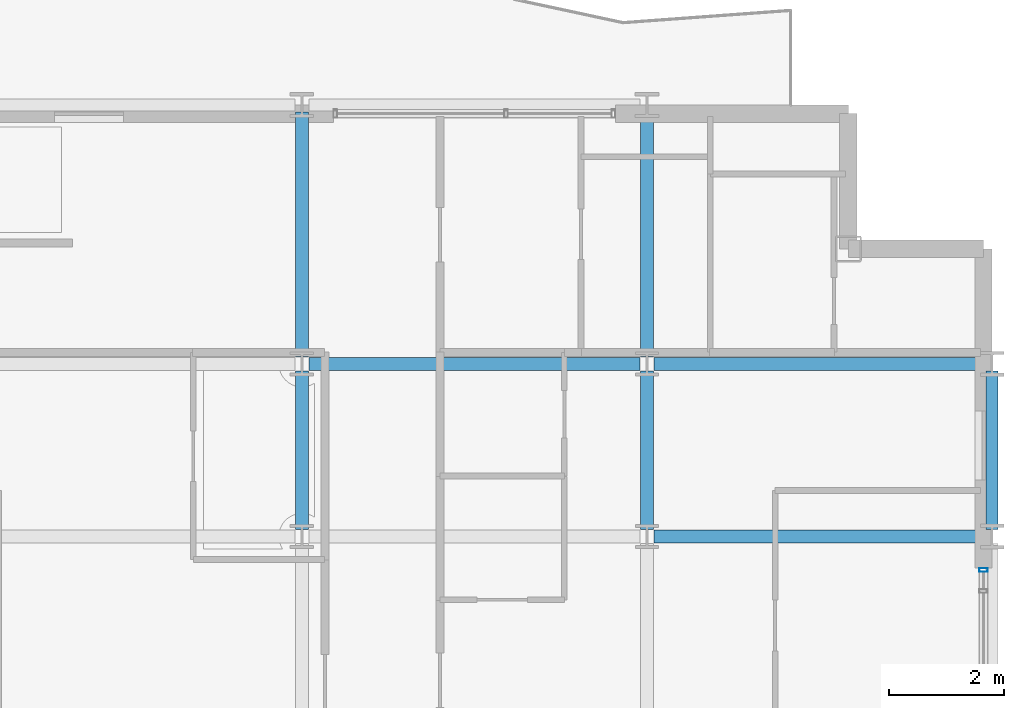
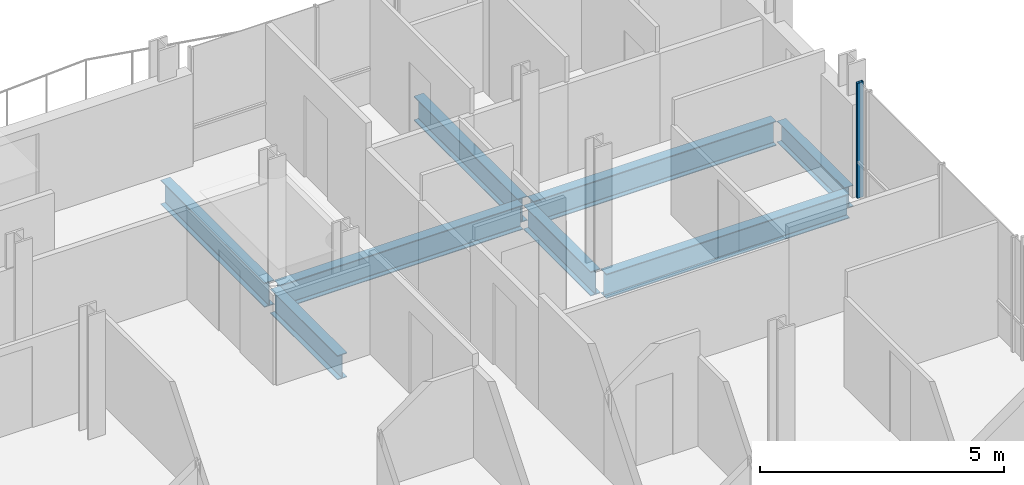
# One storey, part 20 of 41: 8 beams, 1 member, 1 element without a shape of its own.
"""IFC4 building model written with IfcOpenShell, lengths in metres."""

import ifcopenshell
import ifcopenshell.guid

model = None  # the IFC model being written
_history = None  # IfcOwnerHistory: only IFC2X3 demands one
_inside = {}  # id of a spatial element -> (the spatial element, [elements in it])
_under = {}  # id of a project, library or spatial element -> (it, [spatial elements below it])
_declared = {}  # id of a project -> (the project, [libraries it declares])
_typed = {}  # id of a type object -> (the type object, [elements of that type])
_made_of = {}  # id of a material, layer set ... -> (it, [elements and type objects made of it])


def new_model(schema):
    """Start an empty IFC model of exactly this schema.

    Asked for "IFC4X3", IfcOpenShell would pick the latest addendum, in which some entities
    have other attributes; the version numbers below select the first issue.
    IFC2X3 requires an IfcOwnerHistory on every rooted entity: one is made here for all.
    """
    global model, _history
    if schema == "IFC4X3":
        model = ifcopenshell.file(schema_version=(4, 3, 0, 0))
    else:
        model = ifcopenshell.file(schema=schema)
    _inside.clear()
    _under.clear()
    _declared.clear()
    _typed.clear()
    _made_of.clear()
    _history = None
    if model.schema == "IFC2X3":
        org = make("IfcOrganization", Name="unknown")
        user = make(
            "IfcPersonAndOrganization",
            ThePerson=make("IfcPerson", FamilyName="unknown"),
            TheOrganization=org,
        )
        app = make(
            "IfcApplication",
            ApplicationDeveloper=org,
            Version="unknown",
            ApplicationFullName="unknown",
            ApplicationIdentifier="unknown",
        )
        _history = make(
            "IfcOwnerHistory",
            OwningUser=user,
            OwningApplication=app,
            ChangeAction="ADDED",
            CreationDate=0,
        )
    return model


def make(cls, **values):
    """One entity of the class cls with the attributes given. An attribute that is None is left unset."""
    return model.create_entity(
        cls, **{name: value for name, value in values.items() if value is not None}
    )


def rooted(cls, **values):
    """An entity with a GlobalId (a new one), such as an element, a storey or a relation."""
    return make(cls, GlobalId=ifcopenshell.guid.new(), OwnerHistory=_history, **values)


def si_unit(unit_type, name, prefix=None):
    """IfcSIUnit, for example si_unit("LENGTHUNIT", "METRE", prefix="MILLI")."""
    return make("IfcSIUnit", UnitType=unit_type, Prefix=prefix, Name=name)


def assignment(units):
    """IfcUnitAssignment: the units of a project."""
    return None if units is None else make("IfcUnitAssignment", Units=units)


def point(xyz):
    """IfcCartesianPoint."""
    return None if xyz is None else make("IfcCartesianPoint", Coordinates=xyz)


def direction(xyz):
    """IfcDirection."""
    return None if xyz is None else make("IfcDirection", DirectionRatios=xyz)


def frame(location, z_axis=None, x_axis=None):
    """IfcAxis2Placement3D, a coordinate frame: its origin and axes. An axis left out is left unset."""
    return make(
        "IfcAxis2Placement3D",
        Location=point(location),
        Axis=direction(z_axis),
        RefDirection=direction(x_axis),
    )


def frame_2d(location, x_axis=None):
    """IfcAxis2Placement2D, a coordinate frame in the plane: its origin and x axis."""
    return make(
        "IfcAxis2Placement2D", Location=point(location), RefDirection=direction(x_axis)
    )


def origin():
    """The frame at (0, 0, 0) with its axes left unset."""
    return frame((0.0, 0.0, 0.0))


def origin_2d():
    """The frame at (0, 0) in the plane with its x axis left unset."""
    return frame_2d((0.0, 0.0))


def place(relative_to, where):
    """IfcLocalPlacement: puts the frame where relative to a parent placement (None: the world)."""
    return make(
        "IfcLocalPlacement", PlacementRelTo=relative_to, RelativePlacement=where
    )


def context(
    kind, dimensions, precision=None, world=None, true_north=None, identifier=None
):
    """IfcGeometricRepresentationContext, for example the 3D "Model" context."""
    return make(
        "IfcGeometricRepresentationContext",
        ContextIdentifier=identifier,
        ContextType=kind,
        CoordinateSpaceDimension=dimensions,
        Precision=precision,
        WorldCoordinateSystem=world,
        TrueNorth=true_north,
    )


def subcontext(parent, identifier, kind, view, scale=None):
    """IfcGeometricRepresentationSubContext, for example "Body" below "Model"."""
    return make(
        "IfcGeometricRepresentationSubContext",
        ContextIdentifier=identifier,
        ContextType=kind,
        ParentContext=parent,
        TargetScale=scale,
        TargetView=view,
    )


def project(units=None, contexts=None):
    """IfcProject with its units and contexts."""
    return rooted(
        "IfcProject",
        Name="project",
        RepresentationContexts=contexts,
        UnitsInContext=assignment(units),
    )


def spatial(cls, under=None, at=None, **own):
    """A site, building, storey or space (cls), placed at a placement, below another one or the project."""
    s = rooted(cls, ObjectPlacement=at, **own)
    if under is not None:
        _under.setdefault(under.id(), (under, []))[1].append(s)
    return s


def profile(cls, at=None, kind="AREA", **sizes):
    """A parametric profile (cls). Its sizes go by their IFC names, for example OverallWidth=200.0."""
    return make(cls, ProfileType=kind, Position=at, **sizes)


def hollow_rectangle(**sizes):
    """IfcRectangleHollowProfileDef."""
    return profile("IfcRectangleHollowProfileDef", **sizes)


def i_section(**sizes):
    """IfcIShapeProfileDef."""
    return profile("IfcIShapeProfileDef", **sizes)


def extrude(swept, where, along, depth):
    """IfcExtrudedAreaSolid: the profile swept, set in the frame where, extruded along a direction by depth."""
    return make(
        "IfcExtrudedAreaSolid",
        SweptArea=swept,
        Position=where,
        ExtrudedDirection=direction(along),
        Depth=depth,
    )


def shape(context_of_items, identifier, shape_type, items):
    """IfcShapeRepresentation: the items that make up one representation, for example the "Body"."""
    return make(
        "IfcShapeRepresentation",
        ContextOfItems=context_of_items,
        RepresentationIdentifier=identifier,
        RepresentationType=shape_type,
        Items=items,
    )


def material(Name=None, Category=None):
    """IfcMaterial."""
    return make("IfcMaterial", Name=Name, Category=Category)


def layer(
    of_material, thickness, ventilated=None, Name=None, Category=None, Priority=None
):
    """IfcMaterialLayer: one layer of a wall or slab, of a material (None: an air gap)."""
    return make(
        "IfcMaterialLayer",
        Material=of_material,
        LayerThickness=thickness,
        IsVentilated=ventilated,
        Name=Name,
        Category=Category,
        Priority=Priority,
    )


def layer_set(layers, Name=None):
    """IfcMaterialLayerSet."""
    return make("IfcMaterialLayerSet", MaterialLayers=layers, LayerSetName=Name)


def material_profile(
    of_material, cross_section, Name=None, Category=None, Priority=None
):
    """IfcMaterialProfile: a cross section and its material."""
    return make(
        "IfcMaterialProfile",
        Name=Name,
        Material=of_material,
        Profile=cross_section,
        Priority=Priority,
        Category=Category,
    )


def profile_set(profiles, Name=None, composite=None):
    """IfcMaterialProfileSet."""
    return make(
        "IfcMaterialProfileSet",
        Name=Name,
        MaterialProfiles=profiles,
        CompositeProfile=composite,
    )


def made_of(thing, what):
    """Note that an element or type object is made of a material, layer set ...; save() writes the relation."""
    if what is not None:
        _made_of.setdefault(what.id(), (what, []))[1].append(thing)
    return thing


def type_object(cls, material=None, **own):
    """A type object (cls), such as IfcWallType, which elements share."""
    return made_of(rooted(cls, **own), material)


def element(
    cls,
    number,
    at=None,
    inside=None,
    cuts=None,
    type_object=None,
    material=None,
    context=None,
    identifier="Body",
    shape_type=None,
    held_by="IfcProductDefinitionShape",
    body=None,
    shapes=None,
    **own,
):
    """One element of the class cls, such as IfcWall. Its Tag is "e" and its number.

    at: its placement. inside: the storey or other place that contains it. cuts: it is an
    opening in that element (IfcRelVoidsElement). A single representation is given by context,
    identifier, shape_type and body (its items); several are given by shapes. held_by: the class
    of the entity that holds the representations. save() writes the other relations.
    """
    e = rooted(cls, Tag="e%d" % number, ObjectPlacement=at, **own)
    if body is not None:
        shapes = [shape(context, identifier, shape_type, body)]
    if shapes is not None:
        e.Representation = make(held_by, Representations=shapes)
    if inside is not None:
        _inside.setdefault(inside.id(), (inside, []))[1].append(e)
    if cuts is not None:
        rooted(
            "IfcRelVoidsElement", RelatingBuildingElement=cuts, RelatedOpeningElement=e
        )
    if type_object is not None:
        _typed.setdefault(type_object.id(), (type_object, []))[1].append(e)
    return made_of(e, material)


def aggregate(whole, parts):
    """IfcRelAggregates: a whole, such as a stair, and the parts it consists of."""
    return rooted("IfcRelAggregates", RelatingObject=whole, RelatedObjects=parts)


def save(model, path):
    """Write the relations noted so far, then the file.

    IfcRelAggregates (storeys below a building ...), IfcRelContainedInSpatialStructure (elements
    in a storey), IfcRelDefinesByType, IfcRelAssociatesMaterial and IfcRelDeclares: one each for
    every whole, place, type object, material and project.
    """
    for whole, parts in _under.values():
        aggregate(whole, parts)
    for where, things in _inside.values():
        rooted(
            "IfcRelContainedInSpatialStructure",
            RelatedElements=things,
            RelatingStructure=where,
        )
    for kind, things in _typed.values():
        rooted("IfcRelDefinesByType", RelatedObjects=things, RelatingType=kind)
    for what, things in _made_of.values():
        rooted("IfcRelAssociatesMaterial", RelatedObjects=things, RelatingMaterial=what)
    for by, libraries in _declared.values():
        rooted("IfcRelDeclares", RelatingContext=by, RelatedDefinitions=libraries)
    model.write(path)


model = new_model("IFC4")

# Units and contexts
model_context = context("Model", 3, precision=1e-05, world=origin(), true_north=direction((0.0, 1.0)))
body_context = subcontext(model_context, "Body", "Model", "MODEL_VIEW")
ifc_project = project(units=[si_unit("LENGTHUNIT", "METRE"), si_unit("AREAUNIT", "SQUARE_METRE"), si_unit("VOLUMEUNIT", "CUBIC_METRE"), si_unit("PLANEANGLEUNIT", "RADIAN"), si_unit("MASSUNIT", "GRAM", prefix="KILO")], contexts=[model_context])

# Site, building, storey
site_placement = place(None, origin())
site = spatial("IfcSite", under=ifc_project, at=site_placement, CompositionType="ELEMENT")
building_placement = place(site_placement, origin())
building = spatial("IfcBuilding", under=site, at=building_placement, Name="Brevholm Reach", CompositionType="ELEMENT")
storey_placement = place(building_placement, frame((0.0, 0.0, 112.800048828125)))
storey = spatial("IfcBuildingStorey", under=building, at=storey_placement, Name="L33", CompositionType="ELEMENT", Elevation=112.800048828125)

# Beams
ifc_material_1 = material(Name="Structural Steel S355J2", Category="steel")
ifc_material_profile_1 = material_profile(ifc_material_1, i_section(OverallWidth=0.209228515625, OverallDepth=0.533203125, WebThickness=0.010009765625, FlangeThickness=0.015625, FilletRadius=0.0126953125, at=origin_2d()), Name="UKB 533x210x92")
ifc_profile_set_1 = profile_set([ifc_material_profile_1], Name="Structural Steel S355J2")
beam_type_1 = type_object("IfcBeamType", Name="BM-SP533", PredefinedType="SPANDREL", material=ifc_profile_set_1)
beam_1_placement = place(storey_placement, frame((60.0, 23.6201171875, -0.486572265625), z_axis=(0.0, 1.0, 0.0), x_axis=(-1.0, 0.0, 0.0)))
element("IfcBeam", 1, at=beam_1_placement, inside=storey, type_object=beam_type_1, Name="L33 SP-02 Framing Beam", PredefinedType="SPANDREL", context=body_context, shape_type="SweptSolid", body=[
    extrude(i_section(OverallWidth=0.209228515625, OverallDepth=0.533203125, WebThickness=0.010009765625, FlangeThickness=0.015625, FilletRadius=0.0126953125, at=origin_2d()), origin(), (0.0, 0.0, 1.0), 2.759765625),
])
ifc_material_2 = material(Name="Structural Steel S355J2", Category="steel")
ifc_material_profile_2 = material_profile(ifc_material_2, i_section(OverallWidth=0.22900390625, OverallDepth=0.6123046875, WebThickness=0.011962890625, FlangeThickness=0.01953125, FilletRadius=0.0126953125, at=origin_2d()), Name="UKB 610x229x125")
ifc_profile_set_2 = profile_set([ifc_material_profile_2], Name="Structural Steel S355J2")
beam_type_2 = type_object("IfcBeamType", Name="BM-SP610", PredefinedType="SPANDREL", material=ifc_profile_set_2)
for number, where, z_axis, x_axis, name in (
    (2, (54.1201171875, 23.5, -0.526123046875), (1.0, 0.0, 0.0), (0.0, 1.0, 0.0), "L33 SP-01 Framing Beam"),
    (3, (48.1201171875, 26.5, -0.526123046875), (1.0, 0.0, 0.0), (0.0, 1.0, 0.0), "L33 SP-01 Framing Beam"),
    (4, (54.1201171875, 26.5, -0.526123046875), (1.0, 0.0, 0.0), (0.0, 1.0, 0.0), "L33 SP-01 Framing Beam"),
):
    element("IfcBeam", number, at=place(storey_placement, frame(where, z_axis=z_axis, x_axis=x_axis)), inside=storey, type_object=beam_type_2, Name=name, PredefinedType="SPANDREL", context=body_context, shape_type="SweptSolid", body=[
        extrude(i_section(OverallWidth=0.22900390625, OverallDepth=0.6123046875, WebThickness=0.011962890625, FlangeThickness=0.01953125, FilletRadius=0.0126953125, at=origin_2d()), origin(), (0.0, 0.0, 1.0), 5.759765625),
    ])
beam_2_placement = place(storey_placement, frame((48.0, 23.6201171875, -0.526123046875), z_axis=(0.0, 1.0, 0.0), x_axis=(-1.0, 0.0, 0.0)))
element("IfcBeam", 5, at=beam_2_placement, inside=storey, type_object=beam_type_2, Name="L33 SP-01 Framing Beam", PredefinedType="SPANDREL", context=body_context, shape_type="SweptSolid", body=[
    extrude(i_section(OverallWidth=0.22900390625, OverallDepth=0.6123046875, WebThickness=0.011962890625, FlangeThickness=0.01953125, FilletRadius=0.0126953125, at=origin_2d()), origin(), (0.0, 0.0, 1.0), 2.759765625),
])
beam_3_placement = place(storey_placement, frame((48.0, 26.6201171875, -0.526123046875), z_axis=(0.0, 1.0, 0.0), x_axis=(-1.0, 0.0, 0.0)))
element("IfcBeam", 6, at=beam_3_placement, inside=storey, type_object=beam_type_2, Name="L33 SP-01 Framing Beam", PredefinedType="SPANDREL", context=body_context, shape_type="SweptSolid", body=[
    extrude(i_section(OverallWidth=0.22900390625, OverallDepth=0.6123046875, WebThickness=0.011962890625, FlangeThickness=0.01953125, FilletRadius=0.0126953125, at=origin_2d()), origin(), (0.0, 0.0, 1.0), 4.259765625),
])
beam_4_placement = place(storey_placement, frame((54.0, 23.6201171875, -0.526123046875), z_axis=(0.0, 1.0, 0.0), x_axis=(-1.0, 0.0, 0.0)))
element("IfcBeam", 7, at=beam_4_placement, inside=storey, type_object=beam_type_2, Name="L33 SP-01 Framing Beam", PredefinedType="SPANDREL", context=body_context, shape_type="SweptSolid", body=[
    extrude(i_section(OverallWidth=0.22900390625, OverallDepth=0.6123046875, WebThickness=0.011962890625, FlangeThickness=0.01953125, FilletRadius=0.0126953125, at=origin_2d()), origin(), (0.0, 0.0, 1.0), 2.759765625),
])
beam_5_placement = place(storey_placement, frame((54.0, 26.6201171875, -0.526123046875), z_axis=(0.0, 1.0, 0.0), x_axis=(-1.0, 0.0, 0.0)))
element("IfcBeam", 8, at=beam_5_placement, inside=storey, type_object=beam_type_2, Name="L33 SP-01 Framing Beam", PredefinedType="SPANDREL", context=body_context, shape_type="SweptSolid", body=[
    extrude(i_section(OverallWidth=0.22900390625, OverallDepth=0.6123046875, WebThickness=0.011962890625, FlangeThickness=0.01953125, FilletRadius=0.0126953125, at=origin_2d()), origin(), (0.0, 0.0, 1.0), 4.259765625),
])

# Curtain wall, member
ifc_material_3 = material(Name="Dark Anodised Aluminium 6063-T6 and Solar-Control Glass", Category="aluminium")
ifc_layer = layer(ifc_material_3, 0.14990234375)
ifc_layer_set = layer_set([ifc_layer], Name="Dark Anodised Aluminium 6063-T6 and Solar-Control Glass")
curtain_wall_type = type_object("IfcCurtainWallType", Name="CW-01", PredefinedType="NOTDEFINED", material=ifc_layer_set)
curtain_wall_placement = place(storey_placement, origin())
curtain_wall = element("IfcCurtainWall", 9, at=curtain_wall_placement, inside=storey, type_object=curtain_wall_type, Name="L33 Curtain Wall CW-01", PredefinedType="NOTDEFINED")
ifc_material_4 = material(Name="Dark Anodised Aluminium 6063-T6", Category="aluminium")
ifc_material_profile_3 = material_profile(ifc_material_4, hollow_rectangle(XDim=0.06494140625, YDim=0.14990234375, WallThickness=0.0048828125, InnerFilletRadius=0.0048828125, OuterFilletRadius=0.010009765625, at=origin_2d()), Name="RHS 150x65x5")
ifc_profile_set_3 = profile_set([ifc_material_profile_3], Name="Dark Anodised Aluminium 6063-T6")
member_type = type_object("IfcMemberType", Name="CWM-150", PredefinedType="MULLION", material=ifc_profile_set_3)
member_placement = place(storey_placement, frame((59.85009765625, 22.91748046875, 0.0), z_axis=(0.0, 0.0, 1.0), x_axis=(0.0, 1.0, 0.0)))
member = element("IfcMember", 10, at=member_placement, type_object=member_type, Name="CM-150 Mullion 6", PredefinedType="MULLION", context=body_context, shape_type="SweptSolid", body=[
    extrude(hollow_rectangle(XDim=0.06494140625, YDim=0.14990234375, WallThickness=0.0048828125, InnerFilletRadius=0.0048828125, OuterFilletRadius=0.010009765625, at=origin_2d()), origin(), (0.0, 0.0, 1.0), 2.8798828125),
])
aggregate(curtain_wall, [member])

save(model, "model.ifc")
